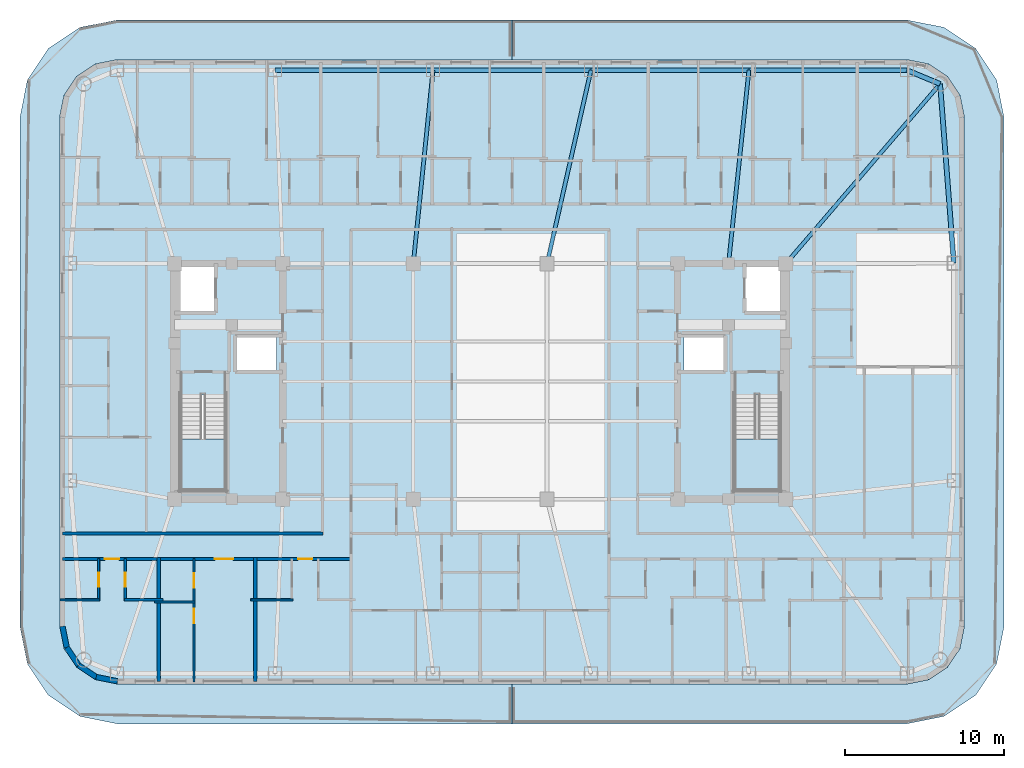
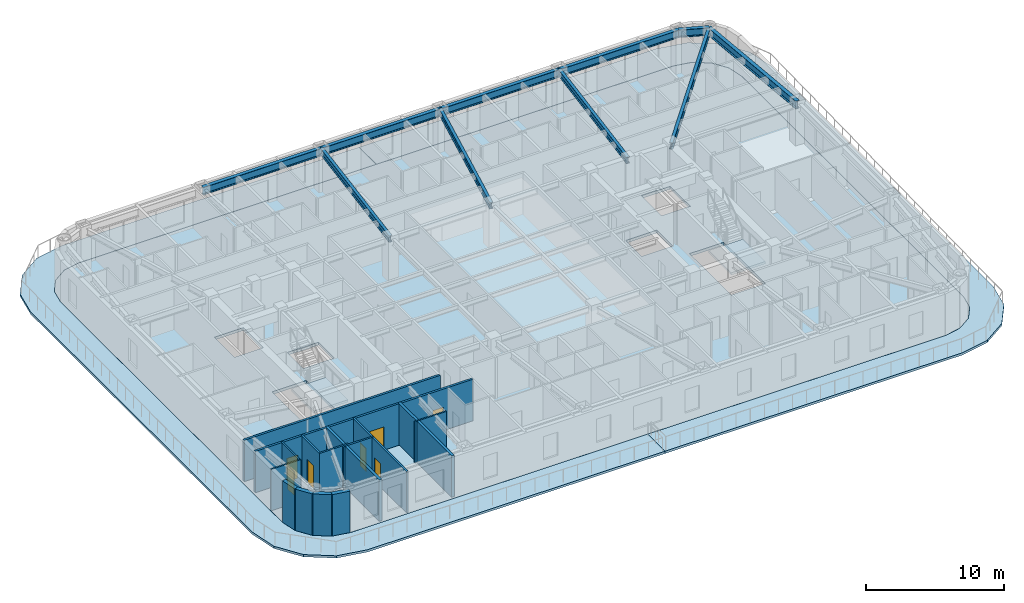
# One storey, part 2 of 15: 16 walls, 10 beams, 7 doors, 5 slabs, 7 openings, 2 elements without a shape of their own.
"""IFC4 building model written with IfcOpenShell, lengths in metres."""

from ifc_helpers import new_model, si_unit, direction, frame, frame_2d, origin, origin_2d, place, context, subcontext, project, spatial, polyline, rectangle, i_section, outline, extrude, material, layer, layer_set, material_profile, profile_set, type_object, element, fill, aggregate, save


model = new_model("IFC4")

# Units and contexts
model_context = context("Model", 3, precision=1e-05, world=origin(), true_north=direction((0.0, 1.0)))
body_context = subcontext(model_context, "Body", "Model", "MODEL_VIEW")
ifc_project = project(units=[si_unit("LENGTHUNIT", "METRE"), si_unit("AREAUNIT", "SQUARE_METRE"), si_unit("VOLUMEUNIT", "CUBIC_METRE"), si_unit("PLANEANGLEUNIT", "RADIAN"), si_unit("MASSUNIT", "GRAM", prefix="KILO")], contexts=[model_context])

# Site, building, storey
site_placement = place(None, origin())
site = spatial("IfcSite", under=ifc_project, at=site_placement, CompositionType="ELEMENT")
building_placement = place(site_placement, origin())
building = spatial("IfcBuilding", under=site, at=building_placement, Name="Voryun Gate Residences", CompositionType="ELEMENT")
storey_placement = place(building_placement, frame((0.0, 0.0, 231.39990234375)))
storey = spatial("IfcBuildingStorey", under=building, at=storey_placement, Name="L57", CompositionType="ELEMENT", Elevation=231.39990234375)

# Beams
ifc_material_1 = material(Name="Steel SM355", Category="steel")
ifc_material_profile_1 = material_profile(ifc_material_1, i_section(OverallWidth=0.300048828125, OverallDepth=0.679931640625, WebThickness=0.013916015625, FlangeThickness=0.02490234375, FilletRadius=0.01806640625, at=origin_2d()), Name="H-680x300x14x25")
ifc_profile_set_1 = profile_set([ifc_material_profile_1], Name="Steel SM355")
beam_type_1 = type_object("IfcBeamType", Name="BM_EXO_SPANDREL_M", PredefinedType="SPANDREL", material=ifc_profile_set_1)
beam_1_placement = place(storey_placement, frame((29.75, 7.422119140625, 3.31005859375), z_axis=(-0.076481657417, 0.997070988485, 0.0), x_axis=(-0.997070988485, -0.076481657417, 0.0)))
element("IfcBeam", 1, at=beam_1_placement, inside=storey, type_object=beam_type_1, Name="BM-L57-SPAND-09", PredefinedType="SPANDREL", context=body_context, shape_type="SweptSolid", body=[
    extrude(i_section(OverallWidth=0.300048828125, OverallDepth=0.679931640625, WebThickness=0.013916015625, FlangeThickness=0.02490234375, FilletRadius=0.01806640625, at=origin_2d()), origin(), (0.0, 0.0, 1.0), 11.297119140625),
])
beam_2_placement = place(storey_placement, frame((28.885986328125, 18.68603515625, 3.31005859375), z_axis=(-0.923881087602, 0.382679678022, 0.0), x_axis=(-0.382679678022, -0.923881087602, 0.0)))
element("IfcBeam", 2, at=beam_2_placement, inside=storey, type_object=beam_type_1, Name="BM-L57-SPAND-10", PredefinedType="SPANDREL", context=body_context, shape_type="SweptSolid", body=[
    extrude(i_section(OverallWidth=0.300048828125, OverallDepth=0.679931640625, WebThickness=0.013916015625, FlangeThickness=0.02490234375, FilletRadius=0.01806640625, at=origin_2d()), origin(), (0.0, 0.0, 1.0), 2.2578125),
])
beam_3_placement = place(storey_placement, frame((26.800048828125, 19.550048828125, 3.31005859375), z_axis=(-1.0, 0.0, 0.0), x_axis=(0.0, -1.0, 0.0)))
element("IfcBeam", 3, at=beam_3_placement, inside=storey, type_object=beam_type_1, Name="BM-L57-SPAND-11", PredefinedType="SPANDREL", context=body_context, shape_type="SweptSolid", body=[
    extrude(i_section(OverallWidth=0.300048828125, OverallDepth=0.679931640625, WebThickness=0.013916015625, FlangeThickness=0.02490234375, FilletRadius=0.01806640625, at=origin_2d()), origin(), (0.0, 0.0, 1.0), 9.920166015625),
])
for number, where, z_axis, x_axis, name in (
    (4, (16.8798828125, 19.550048828125, 3.31005859375), (-1.0, 0.0, 0.0), (0.0, -1.0, 0.0), "BM-L57-SPAND-12"),
    (5, (6.9599609375, 19.550048828125, 3.31005859375), (-1.0, 0.0, 0.0), (0.0, -1.0, 0.0), "BM-L57-SPAND-13"),
    (6, (-2.9599609375, 19.550048828125, 3.31005859375), (-1.0, 0.0, 0.0), (0.0, -1.0, 0.0), "BM-L57-SPAND-14"),
):
    element("IfcBeam", number, at=place(storey_placement, frame(where, z_axis=z_axis, x_axis=x_axis)), inside=storey, type_object=beam_type_1, Name=name, PredefinedType="SPANDREL", context=body_context, shape_type="SweptSolid", body=[
        extrude(i_section(OverallWidth=0.300048828125, OverallDepth=0.679931640625, WebThickness=0.013916015625, FlangeThickness=0.02490234375, FilletRadius=0.01806640625, at=origin_2d()), origin(), (0.0, 0.0, 1.0), 9.919921875),
    ])
ifc_material_2 = material(Name="Steel SM355", Category="steel")
ifc_material_profile_2 = material_profile(ifc_material_2, i_section(OverallWidth=0.239990234375, OverallDepth=0.550048828125, WebThickness=0.011962890625, FlangeThickness=0.02001953125, FilletRadius=0.01806640625, at=origin_2d()), Name="H-550x240x12x20")
ifc_profile_set_2 = profile_set([ifc_material_profile_2], Name="Steel SM355")
beam_type_2 = type_object("IfcBeamType", Name="BM_GIRD_550", PredefinedType="USERDEFINED", material=ifc_profile_set_2)
beam_4_placement = place(storey_placement, frame((19.199951171875, 7.39990234375, 3.375), z_axis=(0.651264396721, 0.758850898111, 0.0), x_axis=(-0.758850898111, 0.651264396721, 0.0)))
element("IfcBeam", 7, at=beam_4_placement, inside=storey, type_object=beam_type_2, Name="BM-L57-RAD-CNE", ObjectType="GIRDER", PredefinedType="USERDEFINED", context=body_context, shape_type="SweptSolid", body=[
    extrude(i_section(OverallWidth=0.239990234375, OverallDepth=0.550048828125, WebThickness=0.011962890625, FlangeThickness=0.02001953125, FilletRadius=0.01806640625, at=origin_2d()), origin(), (0.0, 0.0, 1.0), 14.87255859375),
])
beam_5_placement = place(storey_placement, frame((15.60009765625, 7.39990234375, 3.375), z_axis=(0.104751358085, 0.994498442925, 0.0), x_axis=(-0.994498442925, 0.104751358085, 0.0)))
element("IfcBeam", 8, at=beam_5_placement, inside=storey, type_object=beam_type_2, Name="BM-L57-RAD-N2", ObjectType="GIRDER", PredefinedType="USERDEFINED", context=body_context, shape_type="SweptSolid", body=[
    extrude(i_section(OverallWidth=0.239990234375, OverallDepth=0.550048828125, WebThickness=0.011962890625, FlangeThickness=0.02001953125, FilletRadius=0.01806640625, at=origin_2d()), origin(), (0.0, 0.0, 1.0), 12.21728515625),
])
beam_6_placement = place(storey_placement, frame((4.199951171875, 7.39990234375, 3.375), z_axis=(0.221515238368, 0.975156910026, 0.0), x_axis=(-0.975156910026, 0.221515238368, 0.0)))
element("IfcBeam", 9, at=beam_6_placement, inside=storey, type_object=beam_type_2, Name="BM-L57-RAD-N3", ObjectType="GIRDER", PredefinedType="USERDEFINED", context=body_context, shape_type="SweptSolid", body=[
    extrude(i_section(OverallWidth=0.239990234375, OverallDepth=0.550048828125, WebThickness=0.011962890625, FlangeThickness=0.02001953125, FilletRadius=0.01806640625, at=origin_2d()), origin(), (0.0, 0.0, 1.0), 12.459716796875),
])
beam_7_placement = place(storey_placement, frame((-4.199951171875, 7.39990234375, 3.375), z_axis=(0.101528223047, 0.994832659257, 0.0), x_axis=(-0.994832659257, 0.101528223047, 0.0)))
element("IfcBeam", 10, at=beam_7_placement, inside=storey, type_object=beam_type_2, Name="BM-L57-RAD-N4", ObjectType="GIRDER", PredefinedType="USERDEFINED", context=body_context, shape_type="SweptSolid", body=[
    extrude(i_section(OverallWidth=0.239990234375, OverallDepth=0.550048828125, WebThickness=0.011962890625, FlangeThickness=0.02001953125, FilletRadius=0.01806640625, at=origin_2d()), origin(), (0.0, 0.0, 1.0), 12.213134765625),
])

# Slabs
ifc_material_3 = material(Name="Concrete C40/50", Category="concrete")
ifc_layer_1 = layer(ifc_material_3, 0.199951171875, Name="SLB_BALCONY_200")
ifc_layer_set_1 = layer_set([ifc_layer_1], Name="Concrete C40/50")
slab_type_1 = type_object("IfcSlabType", Name="SLB_BALCONY_200", PredefinedType="FLOOR", material=ifc_layer_set_1)
slab_1_placement = place(storey_placement, frame((0.0, 0.0, -0.199951171875)))
element("IfcSlab", 11, at=slab_1_placement, inside=storey, type_object=slab_type_1, Name="L57 External Residential Balcony WEST", PredefinedType="FLOOR", context=body_context, shape_type="SweptSolid", body=[
    extrude(outline(polyline([(-25.13427734375, -21.03564453125), (-27.11328125, -19.71337890625), (-28.435791015625, -17.734375), (-28.89990234375, -15.39990234375), (-28.89990234375, 16.60009765625), (-28.435791015625, 18.934326171875), (-27.11328125, 20.913330078125), (-25.13427734375, 22.235595703125), (-22.800048828125, 22.699951171875), (1.989990234375, 22.699951171875), (1.989990234375, 20.201904296875), (-22.800048828125, 20.201904296875), (-22.80029296875, 20.201904296875), (-22.80029296875, 20.201904296875), (-24.177978515625, 19.927978515625), (-24.17822265625, 19.927978515625), (-24.178466796875, 19.927734375), (-24.1787109375, 19.927734375), (-24.1787109375, 19.927734375), (-25.3466796875, 19.147216796875), (-25.346923828125, 19.147216796875), (-25.346923828125, 19.14697265625), (-25.34716796875, 19.146728515625), (-25.34716796875, 19.146728515625), (-26.127685546875, 17.978759765625), (-26.127685546875, 17.978515625), (-26.1279296875, 17.978515625), (-26.1279296875, 17.978271484375), (-26.1279296875, 17.97802734375), (-26.40185546875, 16.600341796875), (-26.402099609375, 16.60009765625), (-26.402099609375, 16.60009765625), (-26.402099609375, -15.39990234375), (-26.402099609375, -15.400146484375), (-26.40185546875, -15.400390625), (-26.1279296875, -16.778076171875), (-26.1279296875, -16.7783203125), (-26.1279296875, -16.7783203125), (-26.127685546875, -16.778564453125), (-26.127685546875, -16.77880859375), (-25.34716796875, -17.94677734375), (-25.34716796875, -17.94677734375), (-25.346923828125, -17.947021484375), (-25.346923828125, -17.947021484375), (-25.3466796875, -17.947265625), (-24.1787109375, -18.7275390625), (-24.1787109375, -18.727783203125), (-24.178466796875, -18.727783203125), (-24.17822265625, -18.727783203125), (-24.177978515625, -18.72802734375), (-22.80029296875, -19.001953125), (-22.80029296875, -19.001953125), (-22.800048828125, -19.001953125), (1.989990234375, -19.001953125), (1.989990234375, -21.5), (-22.800048828125, -21.5), (-25.13427734375, -21.03564453125)])), origin(), (0.0, 0.0, 1.0), 0.199951171875),
])
slab_2_placement = place(storey_placement, frame((0.0, 0.0, -0.199951171875)))
element("IfcSlab", 12, at=slab_2_placement, inside=storey, type_object=slab_type_1, Name="L57 External Residential Balcony EAST", PredefinedType="FLOOR", context=body_context, shape_type="SweptSolid", body=[
    extrude(outline(polyline([(26.800048828125, 22.699951171875), (29.13427734375, 22.235595703125), (31.11328125, 20.913330078125), (32.435791015625, 18.934326171875), (32.89990234375, 16.60009765625), (32.89990234375, -15.39990234375), (32.435791015625, -17.734375), (31.11328125, -19.71337890625), (29.13427734375, -21.03564453125), (26.800048828125, -21.5), (2.010009765625, -21.5), (2.010009765625, -19.001953125), (26.800048828125, -19.001953125), (26.80029296875, -19.001953125), (26.80029296875, -19.001953125), (28.177978515625, -18.72802734375), (28.17822265625, -18.727783203125), (28.178466796875, -18.727783203125), (28.1787109375, -18.727783203125), (28.1787109375, -18.7275390625), (29.3466796875, -17.947265625), (29.346923828125, -17.947021484375), (29.346923828125, -17.947021484375), (29.34716796875, -17.94677734375), (29.34716796875, -17.94677734375), (30.127685546875, -16.77880859375), (30.127685546875, -16.778564453125), (30.1279296875, -16.7783203125), (30.1279296875, -16.7783203125), (30.1279296875, -16.778076171875), (30.40185546875, -15.400390625), (30.402099609375, -15.400146484375), (30.402099609375, -15.39990234375), (30.402099609375, 16.60009765625), (30.402099609375, 16.60009765625), (30.40185546875, 16.600341796875), (30.1279296875, 17.97802734375), (30.1279296875, 17.978271484375), (30.1279296875, 17.978515625), (30.127685546875, 17.978515625), (30.127685546875, 17.978759765625), (29.34716796875, 19.146728515625), (29.34716796875, 19.146728515625), (29.346923828125, 19.14697265625), (29.346923828125, 19.147216796875), (29.3466796875, 19.147216796875), (28.1787109375, 19.927734375), (28.1787109375, 19.927734375), (28.178466796875, 19.927734375), (28.17822265625, 19.927978515625), (28.177978515625, 19.927978515625), (26.80029296875, 20.201904296875), (26.80029296875, 20.201904296875), (26.800048828125, 20.201904296875), (2.010009765625, 20.201904296875), (2.010009765625, 22.699951171875), (26.800048828125, 22.699951171875)])), origin(), (0.0, 0.0, 1.0), 0.199951171875),
])
ifc_material_4 = material(Name="Concrete C40/50", Category="concrete")
ifc_layer_2 = layer(ifc_material_4, 0.25, Name="SLB_RES_250")
ifc_layer_set_2 = layer_set([ifc_layer_2], Name="Concrete C40/50")
slab_type_2 = type_object("IfcSlabType", Name="SLB_RES_250", PredefinedType="FLOOR", material=ifc_layer_set_2)
slab_3_placement = place(storey_placement, frame((0.0, 0.0, -0.25)))
element("IfcSlab", 13, at=slab_3_placement, inside=storey, type_object=slab_type_2, Name="L57 Structural Floor Slab", PredefinedType="FLOOR", context=body_context, shape_type="SweptSolid", body=[
    extrude(outline(polyline([(-22.800048828125, -19.0), (-24.177734375, -18.72607421875), (-25.345458984375, -17.945556640625), (-26.1259765625, -16.777587890625), (-26.39990234375, -15.39990234375), (-26.39990234375, 16.60009765625), (-26.1259765625, 17.9775390625), (-25.345458984375, 19.1455078125), (-24.177734375, 19.926025390625), (-22.800048828125, 20.199951171875), (26.800048828125, 20.199951171875), (28.177734375, 19.926025390625), (29.345458984375, 19.1455078125), (30.1259765625, 17.9775390625), (30.39990234375, 16.60009765625), (30.39990234375, -15.39990234375), (30.1259765625, -16.777587890625), (29.345458984375, -17.945556640625), (28.177734375, -18.72607421875), (26.800048828125, -19.0), (-22.800048828125, -19.0)]), holes=[polyline([(-15.97509765625, -0.840087890625), (-18.824951171875, -0.840087890625), (-18.824951171875, -6.85009765625), (-15.97509765625, -6.85009765625), (-15.97509765625, -0.840087890625)]), polyline([(18.824951171875, -6.85009765625), (18.824951171875, -0.840087890625), (15.97509765625, -0.840087890625), (15.97509765625, -6.85009765625), (18.824951171875, -6.85009765625)]), polyline([(-12.800048828125, 2.89990234375), (-15.39990234375, 2.89990234375), (-15.39990234375, 0.60009765625), (-12.800048828125, 0.60009765625), (-12.800048828125, 2.89990234375)]), polyline([(12.800048828125, 2.89990234375), (12.800048828125, 0.60009765625), (15.39990234375, 0.60009765625), (15.39990234375, 2.89990234375), (12.800048828125, 2.89990234375)]), polyline([(-16.60009765625, 7.199951171875), (-19.0, 7.199951171875), (-19.0, 4.300048828125), (-16.60009765625, 4.300048828125), (-16.60009765625, 7.199951171875)]), polyline([(19.0, 7.199951171875), (16.60009765625, 7.199951171875), (16.60009765625, 4.300048828125), (19.0, 4.300048828125), (19.0, 7.199951171875)])]), origin(), (0.0, 0.0, 1.0), 0.25),
])

# Stair, slab
ifc_material_5 = material(Name="Concrete C40/50", Category="concrete")
stair_type = type_object("IfcStairType", Name="STR_CORE_DOGLEG_1350", PredefinedType="HALF_TURN_STAIR", material=ifc_material_5)
stair_1_placement = place(storey_placement, origin())
stair_1 = element("IfcStair", 14, at=stair_1_placement, inside=storey, type_object=stair_type, Name="L57 Special Escape Stair ST-W1", PredefinedType="HALF_TURN_STAIR")
ifc_material_6 = material(Name="Concrete C40/50", Category="concrete")
ifc_layer_3 = layer(ifc_material_6, 0.199951171875, Name="SLB_STAIR_LANDING_200")
ifc_layer_set_3 = layer_set([ifc_layer_3], Name="Concrete C40/50")
slab_type_3 = type_object("IfcSlabType", Name="SLB_STAIR_LANDING_200", PredefinedType="LANDING", material=ifc_layer_set_3)
slab_4_placement = place(storey_placement, frame((0.0, 0.0, 1.75)))
slab_4 = element("IfcSlab", 15, at=slab_4_placement, type_object=slab_type_3, Name="ST-W1 landing 1", PredefinedType="LANDING", context=body_context, shape_type="SweptSolid", body=[
    extrude(outline(polyline([(-18.824951171875, -3.60009765625), (-18.824951171875, -6.85009765625), (-15.97509765625, -6.85009765625), (-15.97509765625, -3.60009765625), (-18.824951171875, -3.60009765625)])), origin(), (0.0, 0.0, 1.0), 0.2001953125),
])
aggregate(stair_1, [slab_4])

stair_2_placement = place(storey_placement, origin())
stair_2 = element("IfcStair", 16, at=stair_2_placement, inside=storey, type_object=stair_type, Name="L57 Special Escape Stair ST-E1", PredefinedType="HALF_TURN_STAIR")
slab_5_placement = place(storey_placement, frame((0.0, 0.0, 1.75)))
slab_5 = element("IfcSlab", 17, at=slab_5_placement, type_object=slab_type_3, Name="ST-E1 landing 1", PredefinedType="LANDING", context=body_context, shape_type="SweptSolid", body=[
    extrude(outline(polyline([(15.97509765625, -3.60009765625), (15.97509765625, -6.85009765625), (18.824951171875, -6.85009765625), (18.824951171875, -3.60009765625), (15.97509765625, -3.60009765625)])), origin(), (0.0, 0.0, 1.0), 0.2001953125),
])
aggregate(stair_2, [slab_5])

# Wall
ifc_material_7 = material(Name="Gypsum acoustic fireboard")
ifc_layer_4 = layer(ifc_material_7, 0.179931640625, Name="W_CORR_RATED_180")
ifc_layer_set_4 = layer_set([ifc_layer_4], Name="Gypsum acoustic fireboard")
wall_type_1 = type_object("IfcWallType", Name="W_CORR_RATED_180", PredefinedType="PARTITIONING", material=ifc_layer_set_4)
wall_1_placement = place(storey_placement, frame((-26.22998046875, -9.5400390625, 0.0), z_axis=(0.0, 0.0, 1.0), x_axis=(1.0, 0.0, 0.0)))
element("IfcWall", 18, at=wall_1_placement, inside=storey, type_object=wall_type_1, Name="Partition wall WP-L57-CWING-WS", PredefinedType="PARTITIONING", context=body_context, shape_type="SweptSolid", body=[
    extrude(rectangle(XDim=16.35009765625, YDim=0.179931640625, at=frame_2d((8.175048828125, 0.0))), origin(), (0.0, 0.0, 1.0), 3.650146484375),
])

# Wall, openings, doors
wall_2_placement = place(storey_placement, frame((-26.22998046875, -11.14990234375, 0.0), z_axis=(0.0, 0.0, 1.0), x_axis=(1.0, 0.0, 0.0)))
wall_2 = element("IfcWall", 19, at=wall_2_placement, inside=storey, type_object=wall_type_1, Name="Partition wall WP-L57-SCORR-W", PredefinedType="PARTITIONING", context=body_context, shape_type="SweptSolid", body=[
    extrude(rectangle(XDim=18.14990234375, YDim=0.179931640625, at=frame_2d((9.074951171875, 0.0))), origin(), (0.0, 0.0, 1.0), 3.650146484375),
])
opening_1_placement = place(wall_2_placement, frame((2.6591796875, 0.0, 0.0)))
opening_1 = element("IfcOpeningElement", 20, at=opening_1_placement, cuts=wall_2, Name="Opening D-INT-2", PredefinedType="OPENING", context=body_context, shape_type="SweptSolid", body=[
    extrude(rectangle(XDim=0.89990234375, YDim=2.050048828125, at=frame_2d((0.449951171875, 1.02490234375))), frame((0.0, 0.099853515625, 0.0), z_axis=(0.0, -1.0, 0.0), x_axis=(1.0, 0.0, 0.0)), (0.0, 0.0, 1.0), 0.199951171875),
])
opening_2_placement = place(wall_2_placement, frame((9.57080078125, 0.0, 0.0)))
opening_2 = element("IfcOpeningElement", 21, at=opening_2_placement, cuts=wall_2, Name="Opening D-UNIT-1", PredefinedType="OPENING", context=body_context, shape_type="SweptSolid", body=[
    extrude(rectangle(XDim=1.14990234375, YDim=2.050048828125, at=frame_2d((0.574951171875, 1.02490234375))), frame((0.0, 0.099853515625, 0.0), z_axis=(0.0, -1.0, 0.0), x_axis=(1.0, 0.0, 0.0)), (0.0, 0.0, 1.0), 0.199951171875),
])
opening_3_placement = place(wall_2_placement, frame((14.79248046875, 0.0, 0.0)))
opening_3 = element("IfcOpeningElement", 22, at=opening_3_placement, cuts=wall_2, Name="Opening D-INT-2", PredefinedType="OPENING", context=body_context, shape_type="SweptSolid", body=[
    extrude(rectangle(XDim=0.89990234375, YDim=2.050048828125, at=frame_2d((0.449951171875, 1.02490234375))), frame((0.0, 0.099853515625, 0.0), z_axis=(0.0, -1.0, 0.0), x_axis=(1.0, 0.0, 0.0)), (0.0, 0.0, 1.0), 0.199951171875),
])
ifc_material_8 = material(Name="Architectural oak veneer")
door_type_1 = type_object("IfcDoorType", Name="DR_INT_BATH_900", OperationType="NOTDEFINED", PredefinedType="DOOR", material=ifc_material_8)
door_1_placement = place(opening_1_placement, origin())
door_1 = element("IfcDoor", 23, at=door_1_placement, inside=storey, type_object=door_type_1, Name="Door DR-L57-SENT-1", OperationType="SINGLE_SWING_RIGHT", OverallHeight=2.050048828125, OverallWidth=0.89990234375, PredefinedType="DOOR", context=body_context, shape_type="SweptSolid", body=[
    extrude(rectangle(XDim=0.89990234375, YDim=2.050048828125, at=frame_2d((0.449951171875, 1.02490234375))), frame((0.0, 0.02490234375, 0.0), z_axis=(0.0, -1.0, 0.0), x_axis=(1.0, 0.0, 0.0)), (0.0, 0.0, 1.0), 0.050048828125),
])
fill(opening_1, door_1)
door_2_placement = place(opening_3_placement, origin())
door_2 = element("IfcDoor", 24, at=door_2_placement, inside=storey, type_object=door_type_1, Name="Door DR-L57-SENT-3", OperationType="SINGLE_SWING_RIGHT", OverallHeight=2.050048828125, OverallWidth=0.89990234375, PredefinedType="DOOR", context=body_context, shape_type="SweptSolid", body=[
    extrude(rectangle(XDim=0.89990234375, YDim=2.050048828125, at=frame_2d((0.449951171875, 1.02490234375))), frame((0.0, 0.02490234375, 0.0), z_axis=(0.0, -1.0, 0.0), x_axis=(1.0, 0.0, 0.0)), (0.0, 0.0, 1.0), 0.050048828125),
])
fill(opening_3, door_2)
ifc_material_9 = material(Name="Armoured timber-clad fire door", Category="wood")
door_type_2 = type_object("IfcDoorType", Name="DR_UNIT_ENTRY_1150", OperationType="NOTDEFINED", PredefinedType="DOOR", material=ifc_material_9)
door_3_placement = place(opening_2_placement, origin())
door_3 = element("IfcDoor", 25, at=door_3_placement, inside=storey, type_object=door_type_2, Name="Door DR-L57-SENT-2", OperationType="SINGLE_SWING_LEFT", OverallHeight=2.050048828125, OverallWidth=1.14990234375, PredefinedType="DOOR", context=body_context, shape_type="SweptSolid", body=[
    extrude(rectangle(XDim=1.14990234375, YDim=2.050048828125, at=frame_2d((0.574951171875, 1.02490234375))), frame((0.0, 0.02490234375, 0.0), z_axis=(0.0, -1.0, 0.0), x_axis=(1.0, 0.0, 0.0)), (0.0, 0.0, 1.0), 0.050048828125),
])
fill(opening_2, door_3)

# Walls
ifc_material_10 = material(Name="Charcoal terracotta masonry", Category="masonry")
ifc_layer_5 = layer(ifc_material_10, 0.340087890625, Name="W_EXT_TERRACOTTA_340")
ifc_layer_set_5 = layer_set([ifc_layer_5], Name="Charcoal terracotta masonry")
wall_type_2 = type_object("IfcWallType", Name="W_EXT_TERRACOTTA_340", PredefinedType="ELEMENTEDWALL", material=ifc_layer_set_5)
wall_3_placement = place(storey_placement, frame((-22.783203125, -18.830078125, 0.0), z_axis=(0.0, 0.0, 1.0), x_axis=(-0.980788153188, 0.195075878998, 0.0)))
element("IfcWall", 26, at=wall_3_placement, inside=storey, type_object=wall_type_2, Name="Exterior wall WEXT-L57-02", PredefinedType="ELEMENTEDWALL", context=body_context, shape_type="SweptSolid", body=[
    extrude(rectangle(XDim=1.354248046875, YDim=0.340087890625, at=frame_2d((0.67724609375, 0.0))), origin(), (0.0, 0.0, 1.0), 3.650146484375),
])
wall_4_placement = place(storey_placement, frame((-24.111328125, -18.56591796875, 0.0), z_axis=(0.0, 0.0, 1.0), x_axis=(-0.831403586725, 0.555669034571, 0.0)))
element("IfcWall", 27, at=wall_4_placement, inside=storey, type_object=wall_type_2, Name="Exterior wall WEXT-L57-03", PredefinedType="ELEMENTEDWALL", context=body_context, shape_type="SweptSolid", body=[
    extrude(rectangle(XDim=1.3369140625, YDim=0.340087890625, at=frame_2d((0.66845703125, 0.0))), origin(), (0.0, 0.0, 1.0), 3.650146484375),
])
wall_5_placement = place(storey_placement, frame((-25.222900390625, -17.822998046875, 0.0), z_axis=(0.0, 0.0, 1.0), x_axis=(-0.555584683399, 0.831459956686, 0.0)))
element("IfcWall", 28, at=wall_5_placement, inside=storey, type_object=wall_type_2, Name="Exterior wall WEXT-L57-04", PredefinedType="ELEMENTEDWALL", context=body_context, shape_type="SweptSolid", body=[
    extrude(rectangle(XDim=1.337158203125, YDim=0.340087890625, at=frame_2d((0.66845703125, 0.0))), origin(), (0.0, 0.0, 1.0), 3.650146484375),
])
wall_6_placement = place(storey_placement, frame((-25.9658203125, -16.711181640625, 0.0), z_axis=(0.0, 0.0, 1.0), x_axis=(-0.195110379894, 0.98078129043, 0.0)))
element("IfcWall", 29, at=wall_6_placement, inside=storey, type_object=wall_type_2, Name="Exterior wall WEXT-L57-05", PredefinedType="ELEMENTEDWALL", context=body_context, shape_type="SweptSolid", body=[
    extrude(rectangle(XDim=1.35400390625, YDim=0.340087890625, at=frame_2d((0.677001953125, 0.0))), origin(), (0.0, 0.0, 1.0), 3.650146484375),
])
ifc_material_11 = material(Name="Concrete C40/50", Category="concrete")
ifc_layer_6 = layer(ifc_material_11, 0.219970703125, Name="W_PARTY_ACOUSTIC_220")
ifc_layer_set_6 = layer_set([ifc_layer_6], Name="Concrete C40/50")
wall_type_3 = type_object("IfcWallType", Name="W_PARTY_ACOUSTIC_220", PredefinedType="PARTITIONING", material=ifc_layer_set_6)
for number, where, z_axis, x_axis, name in (
    (30, (-20.18505859375, -18.830078125, 0.0), (0.0, 0.0, 1.0), (0.0, 1.0, 0.0), "Partition wall WP-L57-SPTY-1"),
    (31, (-14.132080078125, -18.830078125, 0.0), (0.0, 0.0, 1.0), (0.0, 1.0, 0.0), "Partition wall WP-L57-SPTY-2"),
):
    element("IfcWall", number, at=place(storey_placement, frame(where, z_axis=z_axis, x_axis=x_axis)), inside=storey, type_object=wall_type_3, Name=name, PredefinedType="PARTITIONING", context=body_context, shape_type="SweptSolid", body=[
        extrude(rectangle(XDim=7.760009765625, YDim=0.219970703125, at=frame_2d((3.8798828125, 0.0))), origin(), (0.0, 0.0, 1.0), 3.650146484375),
    ])

# Wall, opening, door
ifc_material_12 = material(Name="Gypsum acoustic partition")
ifc_layer_7 = layer(ifc_material_12, 0.125, Name="W_UNIT_PART_125")
ifc_layer_set_7 = layer_set([ifc_layer_7], Name="Gypsum acoustic partition")
wall_type_4 = type_object("IfcWallType", Name="W_UNIT_PART_125", PredefinedType="PARTITIONING", material=ifc_layer_set_7)
wall_7_placement = place(storey_placement, frame((-23.9599609375, -13.780029296875, 0.0), z_axis=(0.0, 0.0, 1.0), x_axis=(0.0, 1.0, 0.0)))
wall_7 = element("IfcWall", 32, at=wall_7_placement, inside=storey, type_object=wall_type_4, Name="Partition wall WP-L57-S1-CVK", PredefinedType="PARTITIONING", context=body_context, shape_type="SweptSolid", body=[
    extrude(rectangle(XDim=2.650146484375, YDim=0.125, at=frame_2d((1.3251953125, 0.0))), origin(), (0.0, 0.0, 1.0), 3.650146484375),
])
opening_4_placement = place(wall_7_placement, frame((0.875, 0.0, 0.0)))
opening_4 = element("IfcOpeningElement", 33, at=opening_4_placement, cuts=wall_7, Name="Opening D-INT-2", PredefinedType="OPENING", context=body_context, shape_type="SweptSolid", body=[
    extrude(rectangle(XDim=0.89990234375, YDim=2.050048828125, at=frame_2d((0.449951171875, 1.02490234375))), frame((0.0, 0.072509765625, 0.0), z_axis=(0.0, -1.0, 0.0), x_axis=(1.0, 0.0, 0.0)), (0.0, 0.0, 1.0), 0.14501953125),
])
door_4_placement = place(opening_4_placement, origin())
door_4 = element("IfcDoor", 34, at=door_4_placement, inside=storey, type_object=door_type_1, Name="Door DR-L57-S1-DK", OperationType="SINGLE_SWING_LEFT", OverallHeight=2.050048828125, OverallWidth=0.89990234375, PredefinedType="DOOR", context=body_context, shape_type="SweptSolid", body=[
    extrude(rectangle(XDim=0.89990234375, YDim=2.050048828125, at=frame_2d((0.449951171875, 1.02490234375))), frame((0.0, 0.02490234375, 0.0), z_axis=(0.0, -1.0, 0.0), x_axis=(1.0, 0.0, 0.0)), (0.0, 0.0, 1.0), 0.050048828125),
])
fill(opening_4, door_4)

# Walls
wall_8_placement = place(storey_placement, frame((-26.3798828125, -13.719970703125, 0.0), z_axis=(0.0, 0.0, 1.0), x_axis=(1.0, 0.0, 0.0)))
element("IfcWall", 35, at=wall_8_placement, inside=storey, type_object=wall_type_4, Name="Partition wall WP-L57-S1-CHK", PredefinedType="PARTITIONING", context=body_context, shape_type="SweptSolid", body=[
    extrude(rectangle(XDim=2.47998046875, YDim=0.125, at=frame_2d((1.239990234375, 0.0))), origin(), (0.0, 0.0, 1.0), 3.650146484375),
])
wall_9_placement = place(storey_placement, frame((-14.39208984375, -13.719970703125, 0.0), z_axis=(0.0, 0.0, 1.0), x_axis=(1.0, 0.0, 0.0)))
element("IfcWall", 36, at=wall_9_placement, inside=storey, type_object=wall_type_4, Name="Partition wall WP-L57-S3-CHK", PredefinedType="PARTITIONING", context=body_context, shape_type="SweptSolid", body=[
    extrude(rectangle(XDim=2.634033203125, YDim=0.125, at=frame_2d((1.31689453125, 0.0))), origin(), (0.0, 0.0, 1.0), 3.650146484375),
])

# Wall, opening, door
ifc_material_13 = material(Name="Gypsum moisture-resistant partition")
ifc_layer_8 = layer(ifc_material_13, 0.14990234375, Name="W_WET_PLUMB_150")
ifc_layer_set_8 = layer_set([ifc_layer_8], Name="Gypsum moisture-resistant partition")
wall_type_5 = type_object("IfcWallType", Name="W_WET_PLUMB_150", PredefinedType="PLUMBINGWALL", material=ifc_layer_set_8)
wall_10_placement = place(storey_placement, frame((-22.281982421875, -13.780029296875, 0.0), z_axis=(0.0, 0.0, 1.0), x_axis=(0.0, 1.0, 0.0)))
wall_10 = element("IfcWall", 37, at=wall_10_placement, inside=storey, type_object=wall_type_5, Name="Partition wall WP-L57-S1-CVB", PredefinedType="PLUMBINGWALL", context=body_context, shape_type="SweptSolid", body=[
    extrude(rectangle(XDim=2.650146484375, YDim=0.14990234375, at=frame_2d((1.3251953125, 0.0))), origin(), (0.0, 0.0, 1.0), 3.650146484375),
])
opening_5_placement = place(wall_10_placement, frame((0.875, 0.0, 0.0)))
opening_5 = element("IfcOpeningElement", 38, at=opening_5_placement, cuts=wall_10, Name="Opening D-INT-2", PredefinedType="OPENING", context=body_context, shape_type="SweptSolid", body=[
    extrude(rectangle(XDim=0.89990234375, YDim=2.050048828125, at=frame_2d((0.449951171875, 1.02490234375))), frame((0.0, 0.0849609375, 0.0), z_axis=(0.0, -1.0, 0.0), x_axis=(1.0, 0.0, 0.0)), (0.0, 0.0, 1.0), 0.169921875),
])
door_5_placement = place(opening_5_placement, origin())
door_5 = element("IfcDoor", 39, at=door_5_placement, inside=storey, type_object=door_type_1, Name="Door DR-L57-S1-DB", OperationType="SINGLE_SWING_RIGHT", OverallHeight=2.050048828125, OverallWidth=0.89990234375, PredefinedType="DOOR", context=body_context, shape_type="SweptSolid", body=[
    extrude(rectangle(XDim=0.89990234375, YDim=2.050048828125, at=frame_2d((0.449951171875, 1.02490234375))), frame((0.0, 0.02490234375, 0.0), z_axis=(0.0, -1.0, 0.0), x_axis=(1.0, 0.0, 0.0)), (0.0, 0.0, 1.0), 0.050048828125),
])
fill(opening_5, door_5)

# Walls
wall_11_placement = place(storey_placement, frame((-22.342041015625, -13.719970703125, 0.0), z_axis=(0.0, 0.0, 1.0), x_axis=(1.0, 0.0, 0.0)))
element("IfcWall", 40, at=wall_11_placement, inside=storey, type_object=wall_type_5, Name="Partition wall WP-L57-S1-CHB", PredefinedType="PLUMBINGWALL", context=body_context, shape_type="SweptSolid", body=[
    extrude(rectangle(XDim=2.4169921875, YDim=0.14990234375, at=frame_2d((1.20849609375, 0.0))), origin(), (0.0, 0.0, 1.0), 3.650146484375),
])
wall_12_placement = place(storey_placement, frame((-20.445068359375, -13.85009765625, 0.0), z_axis=(0.0, 0.0, 1.0), x_axis=(1.0, 0.0, 0.0)))
element("IfcWall", 41, at=wall_12_placement, inside=storey, type_object=wall_type_5, Name="Partition wall WP-L57-S2-SKB", PredefinedType="PLUMBINGWALL", context=body_context, shape_type="SweptSolid", body=[
    extrude(rectangle(XDim=2.550048828125, YDim=0.14990234375, at=frame_2d((1.27490234375, 0.0))), origin(), (0.0, 0.0, 1.0), 3.650146484375),
])

# Wall, opening, door
wall_13_placement = place(storey_placement, frame((-17.97509765625, -18.876708984375, 0.0), z_axis=(0.0, 0.0, 1.0), x_axis=(0.0, 1.0, 0.0)))
wall_13 = element("IfcWall", 42, at=wall_13_placement, inside=storey, type_object=wall_type_5, Name="Partition wall WP-L57-S2-SVT1", PredefinedType="PLUMBINGWALL", context=body_context, shape_type="SweptSolid", body=[
    extrude(rectangle(XDim=5.066650390625, YDim=0.14990234375, at=frame_2d((2.533203125, 0.0))), origin(), (0.0, 0.0, 1.0), 3.650146484375),
])
opening_6_placement = place(wall_13_placement, frame((3.704833984375, 0.0, 0.0)))
opening_6 = element("IfcOpeningElement", 43, at=opening_6_placement, cuts=wall_13, Name="Opening D-INT-2", PredefinedType="OPENING", context=body_context, shape_type="SweptSolid", body=[
    extrude(rectangle(XDim=0.89990234375, YDim=2.050048828125, at=frame_2d((0.449951171875, 1.02490234375))), frame((0.0, 0.0849609375, 0.0), z_axis=(0.0, -1.0, 0.0), x_axis=(1.0, 0.0, 0.0)), (0.0, 0.0, 1.0), 0.169921875),
])
door_6_placement = place(opening_6_placement, origin())
door_6 = element("IfcDoor", 44, at=door_6_placement, inside=storey, type_object=door_type_1, Name="Door DR-L57-S2-DK", OperationType="SINGLE_SWING_LEFT", OverallHeight=2.050048828125, OverallWidth=0.89990234375, PredefinedType="DOOR", context=body_context, shape_type="SweptSolid", body=[
    extrude(rectangle(XDim=0.89990234375, YDim=2.050048828125, at=frame_2d((0.449951171875, 1.02490234375))), frame((0.0, 0.02490234375, 0.0), z_axis=(0.0, -1.0, 0.0), x_axis=(1.0, 0.0, 0.0)), (0.0, 0.0, 1.0), 0.050048828125),
])
fill(opening_6, door_6)

wall_14_placement = place(storey_placement, frame((-17.97509765625, -13.889892578125, 0.0), z_axis=(0.0, 0.0, 1.0), x_axis=(0.0, 1.0, 0.0)))
wall_14 = element("IfcWall", 45, at=wall_14_placement, inside=storey, type_object=wall_type_5, Name="Partition wall WP-L57-S2-SVT2", PredefinedType="PLUMBINGWALL", context=body_context, shape_type="SweptSolid", body=[
    extrude(rectangle(XDim=2.760009765625, YDim=0.14990234375, at=frame_2d((1.3798828125, 0.0))), origin(), (0.0, 0.0, 1.0), 3.650146484375),
])
opening_7_placement = place(wall_14_placement, frame((0.929931640625, 0.0, 0.0)))
opening_7 = element("IfcOpeningElement", 46, at=opening_7_placement, cuts=wall_14, Name="Opening D-INT-2", PredefinedType="OPENING", context=body_context, shape_type="SweptSolid", body=[
    extrude(rectangle(XDim=0.89990234375, YDim=2.050048828125, at=frame_2d((0.449951171875, 1.02490234375))), frame((0.0, 0.0849609375, 0.0), z_axis=(0.0, -1.0, 0.0), x_axis=(1.0, 0.0, 0.0)), (0.0, 0.0, 1.0), 0.169921875),
])
door_7_placement = place(opening_7_placement, origin())
door_7 = element("IfcDoor", 47, at=door_7_placement, inside=storey, type_object=door_type_1, Name="Door DR-L57-S2-DB", OperationType="SINGLE_SWING_RIGHT", OverallHeight=2.050048828125, OverallWidth=0.89990234375, PredefinedType="DOOR", context=body_context, shape_type="SweptSolid", body=[
    extrude(rectangle(XDim=0.89990234375, YDim=2.050048828125, at=frame_2d((0.449951171875, 1.02490234375))), frame((0.0, 0.02490234375, 0.0), z_axis=(0.0, -1.0, 0.0), x_axis=(1.0, 0.0, 0.0)), (0.0, 0.0, 1.0), 0.050048828125),
])
fill(opening_7, door_7)

save(model, "model.ifc")
